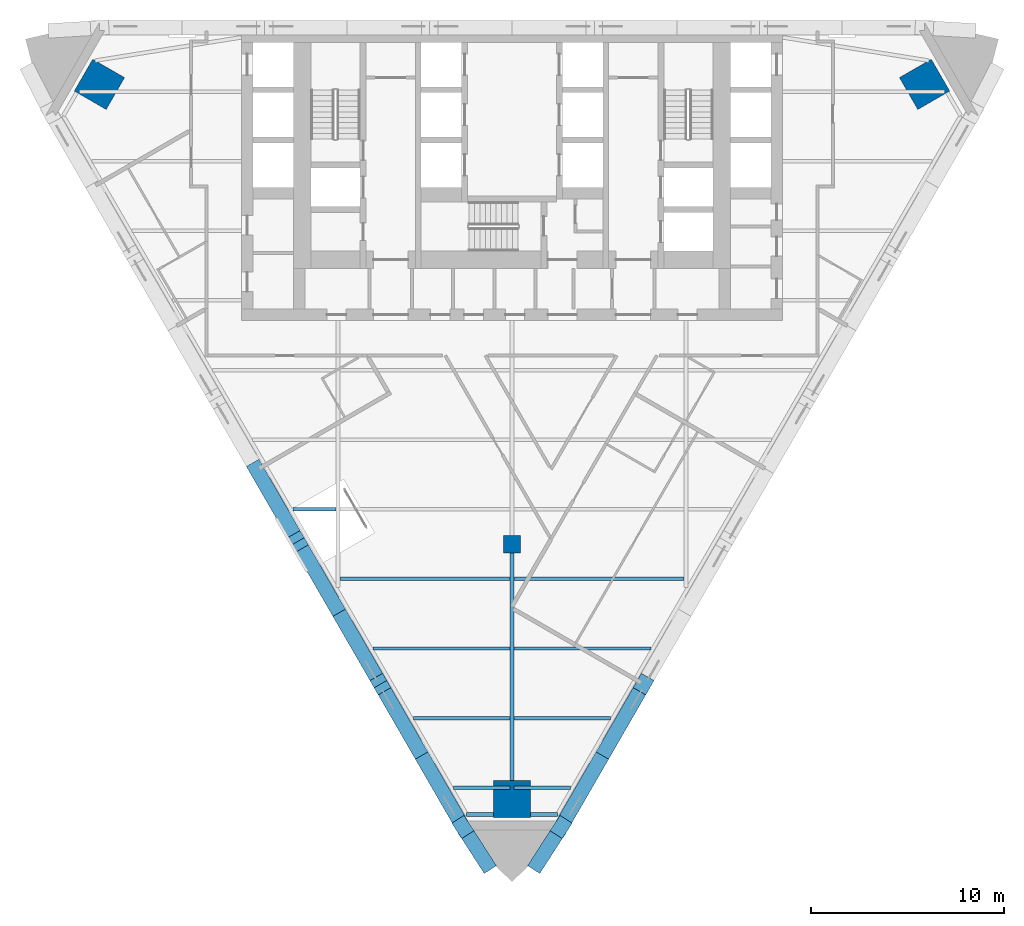
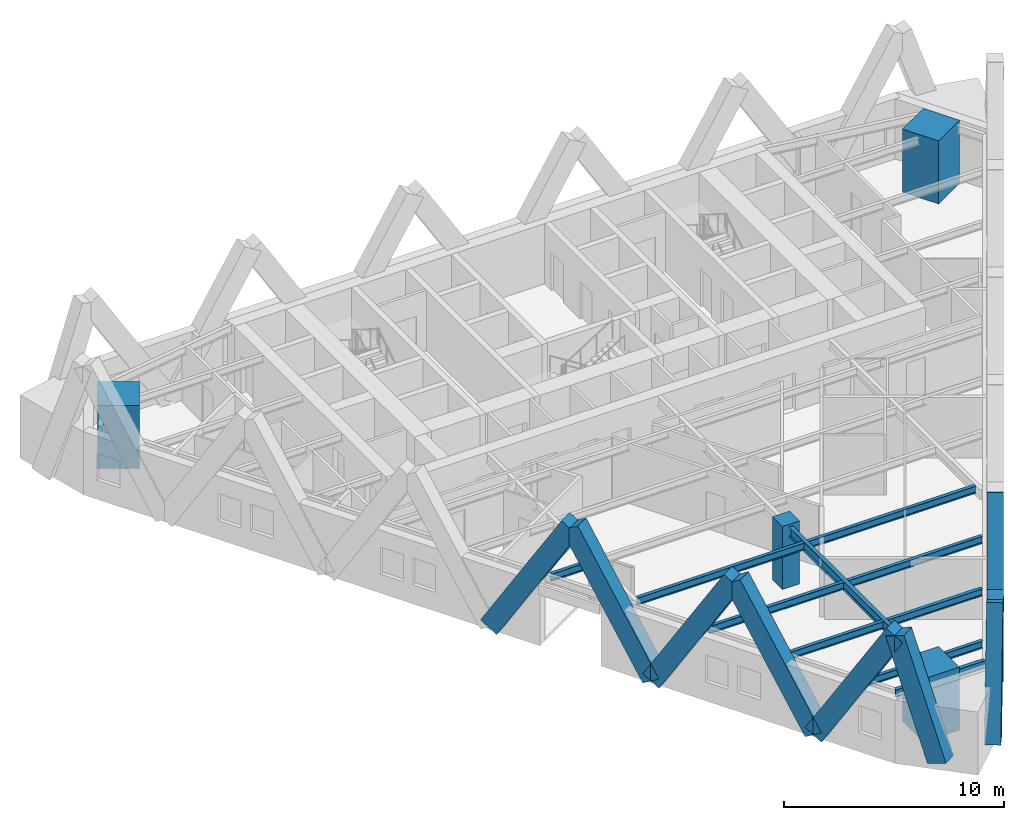
# One storey, part 1 of 12: 12 beams, 9 members, 4 columns.
"""IFC4 building model written with IfcOpenShell, lengths in metres."""

from ifc_helpers import new_model, si_unit, direction, frame, origin, origin_2d, place, context, subcontext, project, spatial, rectangle, i_section, extrude, material, material_profile, profile_set, type_object, element, save


model = new_model("IFC4")

# Units and contexts
model_context = context("Model", 3, precision=1e-05, world=origin(), true_north=direction((0.0, 1.0)))
body_context = subcontext(model_context, "Body", "Model", "MODEL_VIEW")
ifc_project = project(units=[si_unit("LENGTHUNIT", "METRE"), si_unit("AREAUNIT", "SQUARE_METRE"), si_unit("VOLUMEUNIT", "CUBIC_METRE"), si_unit("PLANEANGLEUNIT", "RADIAN"), si_unit("MASSUNIT", "GRAM", prefix="KILO")], contexts=[model_context])

# Site, building, storey
site_placement = place(None, origin())
site = spatial("IfcSite", under=ifc_project, at=site_placement, CompositionType="ELEMENT")
building_placement = place(site_placement, origin())
building = spatial("IfcBuilding", under=site, at=building_placement, Name="Aloe Facet Convention Tower", CompositionType="ELEMENT")
storey_placement = place(building_placement, frame((0.0, 0.0, 102.800048828125)))
storey = spatial("IfcBuildingStorey", under=building, at=storey_placement, Name="L25", CompositionType="ELEMENT", Elevation=102.800048828125)

# Columns
ifc_material_1 = material(Name="Concrete C70/85", Category="concrete")
ifc_material_profile_1 = material_profile(ifc_material_1, rectangle(XDim=0.89990234375, YDim=0.89990234375, at=origin_2d()), Name="SF-GC-Z2")
ifc_profile_set_1 = profile_set([ifc_material_profile_1], Name="Concrete C70/85")
column_type_1 = type_object("IfcColumnType", Name="SF-GC-Z2", PredefinedType="COLUMN", material=ifc_profile_set_1)
column_placement = place(storey_placement, frame((80.0, 108.0, 0.0), z_axis=(0.0, 0.0, 1.0), x_axis=(1.0, 0.0, 0.0)))
element("IfcColumn", 1, at=column_placement, inside=storey, type_object=column_type_1, Name="Gravity column GC-Z2-9D", PredefinedType="COLUMN", context=body_context, shape_type="SweptSolid", body=[
    extrude(rectangle(XDim=0.89990234375, YDim=0.89990234375, at=origin_2d()), origin(), (0.0, 0.0, 1.0), 3.5),
])
ifc_material_2 = material(Name="Concrete C80/95", Category="concrete")
ifc_material_profile_2 = material_profile(ifc_material_2, rectangle(XDim=1.89990234375, YDim=1.89990234375, at=origin_2d()), Name="STW-MC-Z2")
ifc_profile_set_2 = profile_set([ifc_material_profile_2], Name="Concrete C80/95")
column_type_2 = type_object("IfcColumnType", Name="STW-MC-Z2", PredefinedType="COLUMN", material=ifc_profile_set_2)
for number, where, z_axis, x_axis, name in (
    (2, (101.3359375, 131.775146484375, 0.0), (0.0, 0.0, 1.0), (-0.5, 0.866025403784, 0.0), "Mega-column MC-NE-L25"),
    (3, (58.6640625, 131.775146484375, 0.0), (0.0, 0.0, 1.0), (-0.5, -0.866025403784, 0.0), "Mega-column MC-NW-L25"),
    (4, (80.0, 94.8203125, 0.0), (0.0, 0.0, 1.0), (1.0, 0.0, 0.0), "Mega-column MC-S-L25"),
):
    element("IfcColumn", number, at=place(storey_placement, frame(where, z_axis=z_axis, x_axis=x_axis)), inside=storey, type_object=column_type_2, Name=name, PredefinedType="COLUMN", context=body_context, shape_type="SweptSolid", body=[
        extrude(rectangle(XDim=1.89990234375, YDim=1.89990234375, at=origin_2d()), origin(), (0.0, 0.0, 1.0), 3.5),
    ])

# Beams
ifc_material_3 = material(Name="Steel S355", Category="steel")
ifc_material_profile_3 = material_profile(ifc_material_3, i_section(OverallWidth=0.177734375, OverallDepth=0.402587890625, WebThickness=0.0078125, FlangeThickness=0.010986328125, FilletRadius=0.01025390625, at=origin_2d()), Name="UB 406x178x54")
ifc_profile_set_3 = profile_set([ifc_material_profile_3], Name="Steel S355")
beam_type_1 = type_object("IfcBeamType", Name="SF-B-UB406x178x54", PredefinedType="BEAM", material=ifc_profile_set_3)
beam_1_placement = place(storey_placement, frame((68.665283203125, 109.800048828125, 3.148681640625), z_axis=(1.0, 0.0, 0.0), x_axis=(0.0, 1.0, 0.0)))
element("IfcBeam", 5, at=beam_1_placement, inside=storey, type_object=beam_type_1, Name="Floor beam FB-Z2B-019", PredefinedType="BEAM", context=body_context, shape_type="SweptSolid", body=[
    extrude(i_section(OverallWidth=0.177734375, OverallDepth=0.402587890625, WebThickness=0.0078125, FlangeThickness=0.010986328125, FilletRadius=0.01025390625, at=origin_2d()), origin(), (0.0, 0.0, 1.0), 2.229248046875),
])
beam_2_placement = place(storey_placement, frame((71.10546875, 106.199951171875, 3.148681640625), z_axis=(1.0, 0.0, 0.0), x_axis=(0.0, 1.0, 0.0)))
element("IfcBeam", 6, at=beam_2_placement, inside=storey, type_object=beam_type_1, Name="Floor beam FB-Z2B-020", PredefinedType="BEAM", context=body_context, shape_type="SweptSolid", body=[
    extrude(i_section(OverallWidth=0.177734375, OverallDepth=0.402587890625, WebThickness=0.0078125, FlangeThickness=0.010986328125, FilletRadius=0.01025390625, at=origin_2d()), origin(), (0.0, 0.0, 1.0), 8.7890625),
])
beam_3_placement = place(storey_placement, frame((72.822265625, 102.60009765625, 3.148681640625), z_axis=(1.0, 0.0, 0.0), x_axis=(0.0, 1.0, 0.0)))
element("IfcBeam", 7, at=beam_3_placement, inside=storey, type_object=beam_type_1, Name="Floor beam FB-Z2B-024", PredefinedType="BEAM", context=body_context, shape_type="SweptSolid", body=[
    extrude(i_section(OverallWidth=0.177734375, OverallDepth=0.402587890625, WebThickness=0.0078125, FlangeThickness=0.010986328125, FilletRadius=0.01025390625, at=origin_2d()), origin(), (0.0, 0.0, 1.0), 7.072265625),
])
beam_4_placement = place(storey_placement, frame((74.900634765625, 99.0, 3.148681640625), z_axis=(1.0, 0.0, 0.0), x_axis=(0.0, 1.0, 0.0)))
element("IfcBeam", 8, at=beam_4_placement, inside=storey, type_object=beam_type_1, Name="Floor beam FB-Z2B-025", PredefinedType="BEAM", context=body_context, shape_type="SweptSolid", body=[
    extrude(i_section(OverallWidth=0.177734375, OverallDepth=0.402587890625, WebThickness=0.0078125, FlangeThickness=0.010986328125, FilletRadius=0.01025390625, at=origin_2d()), origin(), (0.0, 0.0, 1.0), 4.993896484375),
])
for number, where, z_axis, x_axis, name in (
    (9, (76.97900390625, 95.39990234375, 3.148681640625), (1.0, 0.0, 0.0), (0.0, 1.0, 0.0), "Floor beam FB-Z2B-026"),
    (10, (80.10546875, 95.39990234375, 3.148681640625), (1.0, 0.0, 0.0), (0.0, 1.0, 0.0), "Floor beam FB-Z2B-027"),
):
    element("IfcBeam", number, at=place(storey_placement, frame(where, z_axis=z_axis, x_axis=x_axis)), inside=storey, type_object=beam_type_1, Name=name, PredefinedType="BEAM", context=body_context, shape_type="SweptSolid", body=[
        extrude(i_section(OverallWidth=0.177734375, OverallDepth=0.402587890625, WebThickness=0.0078125, FlangeThickness=0.010986328125, FilletRadius=0.01025390625, at=origin_2d()), origin(), (0.0, 0.0, 1.0), 2.91552734375),
    ])
beam_5_placement = place(storey_placement, frame((80.10546875, 99.0, 3.148681640625), z_axis=(1.0, 0.0, 0.0), x_axis=(0.0, 1.0, 0.0)))
element("IfcBeam", 11, at=beam_5_placement, inside=storey, type_object=beam_type_1, Name="Floor beam FB-Z2B-028", PredefinedType="BEAM", context=body_context, shape_type="SweptSolid", body=[
    extrude(i_section(OverallWidth=0.177734375, OverallDepth=0.402587890625, WebThickness=0.0078125, FlangeThickness=0.010986328125, FilletRadius=0.01025390625, at=origin_2d()), origin(), (0.0, 0.0, 1.0), 4.993896484375),
])
beam_6_placement = place(storey_placement, frame((80.10546875, 102.60009765625, 3.148681640625), z_axis=(1.0, 0.0, 0.0), x_axis=(0.0, 1.0, 0.0)))
element("IfcBeam", 12, at=beam_6_placement, inside=storey, type_object=beam_type_1, Name="Floor beam FB-Z2B-029", PredefinedType="BEAM", context=body_context, shape_type="SweptSolid", body=[
    extrude(i_section(OverallWidth=0.177734375, OverallDepth=0.402587890625, WebThickness=0.0078125, FlangeThickness=0.010986328125, FilletRadius=0.01025390625, at=origin_2d()), origin(), (0.0, 0.0, 1.0), 7.072265625),
])
beam_7_placement = place(storey_placement, frame((80.10546875, 106.199951171875, 3.148681640625), z_axis=(1.0, 0.0, 0.0), x_axis=(0.0, 1.0, 0.0)))
element("IfcBeam", 13, at=beam_7_placement, inside=storey, type_object=beam_type_1, Name="Floor beam FB-Z2B-030", PredefinedType="BEAM", context=body_context, shape_type="SweptSolid", body=[
    extrude(i_section(OverallWidth=0.177734375, OverallDepth=0.402587890625, WebThickness=0.0078125, FlangeThickness=0.010986328125, FilletRadius=0.01025390625, at=origin_2d()), origin(), (0.0, 0.0, 1.0), 8.7890625),
])
ifc_material_4 = material(Name="Steel S355", Category="steel")
ifc_material_profile_4 = material_profile(ifc_material_4, i_section(OverallWidth=0.18994140625, OverallDepth=0.453369140625, WebThickness=0.008544921875, FlangeThickness=0.0126953125, FilletRadius=0.01025390625, at=origin_2d()), Name="UB 457x191x67")
ifc_profile_set_4 = profile_set([ifc_material_profile_4], Name="Steel S355")
beam_type_2 = type_object("IfcBeamType", Name="SF-B-UB457x191x67", PredefinedType="BEAM", material=ifc_profile_set_4)
for number, where, z_axis, x_axis, name in (
    (14, (79.050048828125, 94.01513671875, 3.123291015625), (-1.0, 0.0, 0.0), (0.0, -1.0, 0.0), "Floor beam FB-Z2B-004"),
    (15, (82.341064453125, 94.01513671875, 3.123291015625), (-1.0, 0.0, 0.0), (0.0, -1.0, 0.0), "Floor beam FB-Z2B-005"),
):
    element("IfcBeam", number, at=place(storey_placement, frame(where, z_axis=z_axis, x_axis=x_axis)), inside=storey, type_object=beam_type_2, Name=name, PredefinedType="BEAM", context=body_context, shape_type="SweptSolid", body=[
        extrude(i_section(OverallWidth=0.18994140625, OverallDepth=0.453369140625, WebThickness=0.008544921875, FlangeThickness=0.0126953125, FilletRadius=0.01025390625, at=origin_2d()), origin(), (0.0, 0.0, 1.0), 1.39111328125),
    ])
ifc_material_5 = material(Name="Steel S355", Category="steel")
ifc_material_profile_5 = material_profile(ifc_material_5, i_section(OverallWidth=0.210693359375, OverallDepth=0.53955078125, WebThickness=0.01171875, FlangeThickness=0.018798828125, FilletRadius=0.0126953125, at=origin_2d()), Name="UB 533x210x109")
ifc_profile_set_5 = profile_set([ifc_material_profile_5], Name="Steel S355")
beam_type_3 = type_object("IfcBeamType", Name="SF-B-UB533x210x109", PredefinedType="BEAM", material=ifc_profile_set_5)
beam_8_placement = place(storey_placement, frame((80.0, 107.550048828125, 3.080078125), z_axis=(0.0, -1.0, 0.0), x_axis=(1.0, 0.0, 0.0)))
element("IfcBeam", 16, at=beam_8_placement, inside=storey, type_object=beam_type_3, Name="Floor beam FB-Z2B-010", PredefinedType="BEAM", context=body_context, shape_type="SweptSolid", body=[
    extrude(i_section(OverallWidth=0.210693359375, OverallDepth=0.53955078125, WebThickness=0.01171875, FlangeThickness=0.018798828125, FilletRadius=0.0126953125, at=origin_2d()), origin(), (0.0, 0.0, 1.0), 13.429931640625),
])

# Members
ifc_material_6 = material(Name="Concrete C60/75, bronze oxide finish", Category="concrete")
ifc_material_profile_6 = material_profile(ifc_material_6, rectangle(XDim=0.75, YDim=1.0, at=origin_2d()), Name="STW-LM")
ifc_profile_set_6 = profile_set([ifc_material_profile_6], Name="Concrete C60/75, bronze oxide finish")
member_type = type_object("IfcMemberType", Name="STW-LM", PredefinedType="BRACE", material=ifc_profile_set_6)
for number, where, z_axis, x_axis, name in (
    (17, (66.799072265625, 111.835205078125, 0.0), (0.26011992139, -0.45054092877, 0.854020197653), (0.866025408043, 0.499999992624, 0.0), "Lattice member LM-Z2-F2-R3-06"),
    (18, (71.063232421875, 104.44921875, 0.0), (-0.260116430601, 0.450564668007, 0.854008736768), (-0.866039720501, -0.4999752019, 0.0), "Lattice member LM-Z2-F2-R3-07"),
    (19, (71.063232421875, 104.44921875, 0.0), (0.260147691546, -0.450537437867, 0.854013580491), (0.866000615939, 0.500042931351, 0.0), "Lattice member LM-Z2-F2-R3-08"),
    (20, (75.32763671875, 97.063232421875, 0.0), (-0.260116430601, 0.450564668007, 0.854008736768), (-0.866039720501, -0.4999752019, 0.0), "Lattice member LM-Z2-F2-R3-09"),
    (21, (75.32763671875, 97.063232421875, 0.0), (0.26011992139, -0.45054092877, 0.854020197653), (0.866025408043, 0.499999992624, 0.0), "Lattice member LM-Z2-F2-R3-10"),
    (22, (84.67236328125, 97.063232421875, 0.0), (-0.26011992139, -0.45054092877, 0.854020197653), (0.866025408043, -0.499999992624, 0.0), "Lattice member LM-Z2-F3-R3-01"),
    (23, (84.67236328125, 97.063232421875, 0.0), (0.260116430601, 0.450564668007, 0.854008736768), (-0.866039720501, 0.4999752019, 0.0), "Lattice member LM-Z2-F3-R3-02"),
):
    element("IfcMember", number, at=place(storey_placement, frame(where, z_axis=z_axis, x_axis=x_axis)), inside=storey, type_object=member_type, Name=name, PredefinedType="BRACE", context=body_context, shape_type="SweptSolid", body=[
        extrude(rectangle(XDim=0.75, YDim=1.0, at=origin_2d()), origin(), (0.0, 0.0, 1.0), 8.196533203125),
    ])
for number, where, z_axis, x_axis, name in (
    (24, (78.622802734375, 91.56201171875, 0.58984375), (-0.17202514847, 0.26746227429, 0.948088223809), (-0.84105670668, -0.540946962417, 0.0), "Lattice member LM-Z2-F5-R2-05"),
    (25, (81.377197265625, 91.56201171875, 0.58984375), (0.17202514847, 0.26746227429, 0.948088223809), (-0.84105670668, 0.540946962417, 0.0), "Lattice member LM-Z2-F5-R2-06"),
):
    element("IfcMember", number, at=place(storey_placement, frame(where, z_axis=z_axis, x_axis=x_axis)), inside=storey, type_object=member_type, Name=name, PredefinedType="BRACE", context=body_context, shape_type="SweptSolid", body=[
        extrude(rectangle(XDim=0.75, YDim=1.0, at=origin_2d()), origin(), (0.0, 0.0, 1.0), 6.76123046875),
    ])

save(model, "model.ifc")
